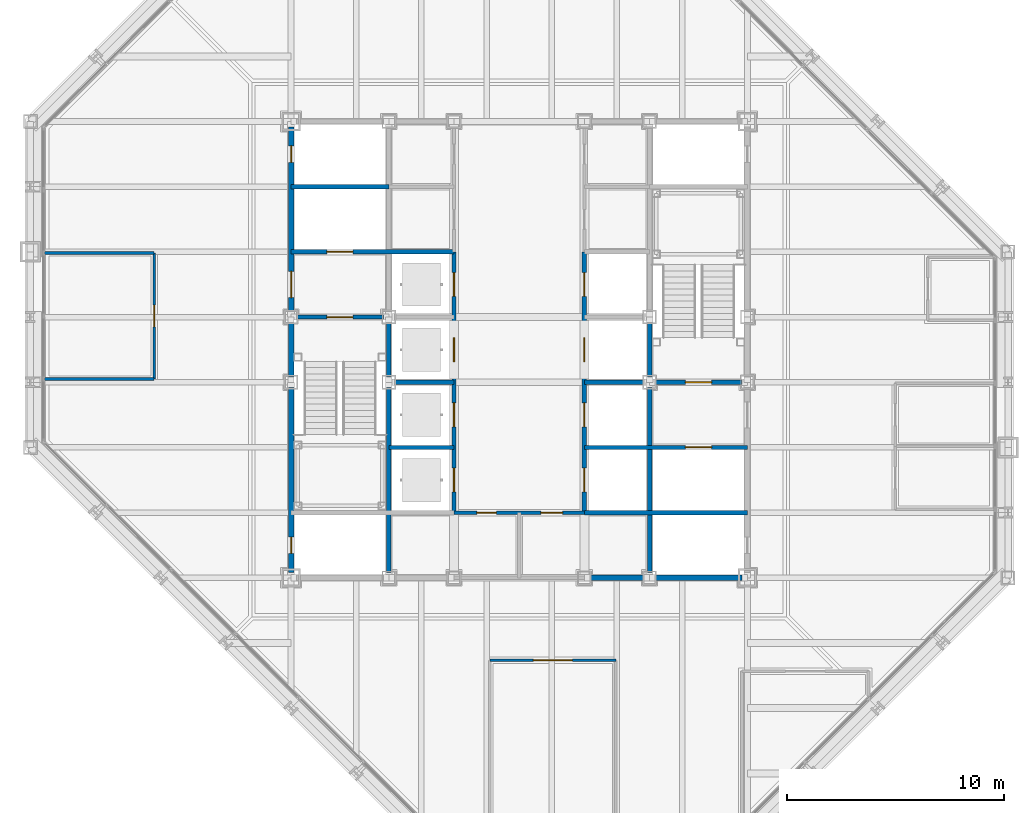
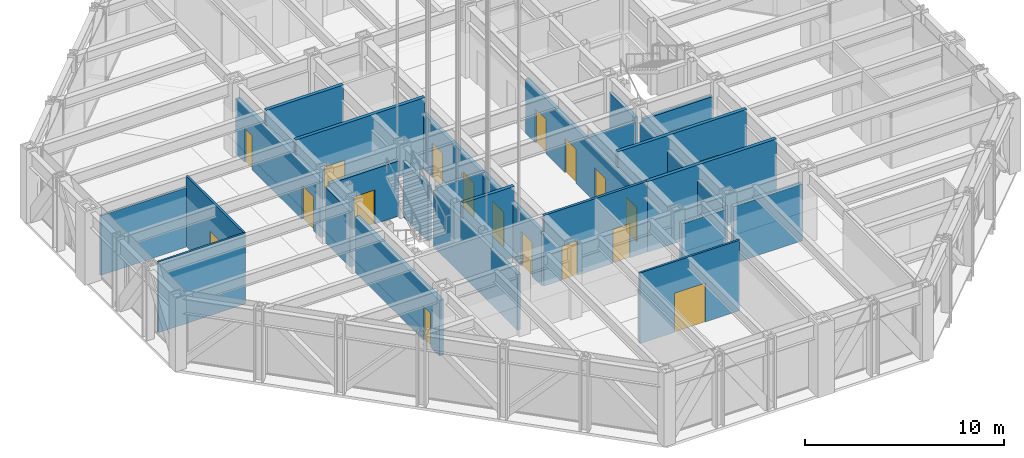
# One storey, part 10 of 24: 25 walls, 19 doors, 19 openings.
"""IFC4 building model written with IfcOpenShell, lengths in metres."""

import ifcopenshell
import ifcopenshell.guid

model = None  # the IFC model being written
_history = None  # IfcOwnerHistory: only IFC2X3 demands one
_inside = {}  # id of a spatial element -> (the spatial element, [elements in it])
_under = {}  # id of a project, library or spatial element -> (it, [spatial elements below it])
_declared = {}  # id of a project -> (the project, [libraries it declares])
_typed = {}  # id of a type object -> (the type object, [elements of that type])
_made_of = {}  # id of a material, layer set ... -> (it, [elements and type objects made of it])


def new_model(schema):
    """Start an empty IFC model of exactly this schema.

    Asked for "IFC4X3", IfcOpenShell would pick the latest addendum, in which some entities
    have other attributes; the version numbers below select the first issue.
    IFC2X3 requires an IfcOwnerHistory on every rooted entity: one is made here for all.
    """
    global model, _history
    if schema == "IFC4X3":
        model = ifcopenshell.file(schema_version=(4, 3, 0, 0))
    else:
        model = ifcopenshell.file(schema=schema)
    _inside.clear()
    _under.clear()
    _declared.clear()
    _typed.clear()
    _made_of.clear()
    _history = None
    if model.schema == "IFC2X3":
        org = make("IfcOrganization", Name="unknown")
        user = make(
            "IfcPersonAndOrganization",
            ThePerson=make("IfcPerson", FamilyName="unknown"),
            TheOrganization=org,
        )
        app = make(
            "IfcApplication",
            ApplicationDeveloper=org,
            Version="unknown",
            ApplicationFullName="unknown",
            ApplicationIdentifier="unknown",
        )
        _history = make(
            "IfcOwnerHistory",
            OwningUser=user,
            OwningApplication=app,
            ChangeAction="ADDED",
            CreationDate=0,
        )
    return model


def make(cls, **values):
    """One entity of the class cls with the attributes given. An attribute that is None is left unset."""
    return model.create_entity(
        cls, **{name: value for name, value in values.items() if value is not None}
    )


def rooted(cls, **values):
    """An entity with a GlobalId (a new one), such as an element, a storey or a relation."""
    return make(cls, GlobalId=ifcopenshell.guid.new(), OwnerHistory=_history, **values)


def si_unit(unit_type, name, prefix=None):
    """IfcSIUnit, for example si_unit("LENGTHUNIT", "METRE", prefix="MILLI")."""
    return make("IfcSIUnit", UnitType=unit_type, Prefix=prefix, Name=name)


def assignment(units):
    """IfcUnitAssignment: the units of a project."""
    return None if units is None else make("IfcUnitAssignment", Units=units)


def point(xyz):
    """IfcCartesianPoint."""
    return None if xyz is None else make("IfcCartesianPoint", Coordinates=xyz)


def direction(xyz):
    """IfcDirection."""
    return None if xyz is None else make("IfcDirection", DirectionRatios=xyz)


def frame(location, z_axis=None, x_axis=None):
    """IfcAxis2Placement3D, a coordinate frame: its origin and axes. An axis left out is left unset."""
    return make(
        "IfcAxis2Placement3D",
        Location=point(location),
        Axis=direction(z_axis),
        RefDirection=direction(x_axis),
    )


def frame_2d(location, x_axis=None):
    """IfcAxis2Placement2D, a coordinate frame in the plane: its origin and x axis."""
    return make(
        "IfcAxis2Placement2D", Location=point(location), RefDirection=direction(x_axis)
    )


def origin():
    """The frame at (0, 0, 0) with its axes left unset."""
    return frame((0.0, 0.0, 0.0))


def place(relative_to, where):
    """IfcLocalPlacement: puts the frame where relative to a parent placement (None: the world)."""
    return make(
        "IfcLocalPlacement", PlacementRelTo=relative_to, RelativePlacement=where
    )


def context(
    kind, dimensions, precision=None, world=None, true_north=None, identifier=None
):
    """IfcGeometricRepresentationContext, for example the 3D "Model" context."""
    return make(
        "IfcGeometricRepresentationContext",
        ContextIdentifier=identifier,
        ContextType=kind,
        CoordinateSpaceDimension=dimensions,
        Precision=precision,
        WorldCoordinateSystem=world,
        TrueNorth=true_north,
    )


def subcontext(parent, identifier, kind, view, scale=None):
    """IfcGeometricRepresentationSubContext, for example "Body" below "Model"."""
    return make(
        "IfcGeometricRepresentationSubContext",
        ContextIdentifier=identifier,
        ContextType=kind,
        ParentContext=parent,
        TargetScale=scale,
        TargetView=view,
    )


def project(units=None, contexts=None):
    """IfcProject with its units and contexts."""
    return rooted(
        "IfcProject",
        Name="project",
        RepresentationContexts=contexts,
        UnitsInContext=assignment(units),
    )


def spatial(cls, under=None, at=None, **own):
    """A site, building, storey or space (cls), placed at a placement, below another one or the project."""
    s = rooted(cls, ObjectPlacement=at, **own)
    if under is not None:
        _under.setdefault(under.id(), (under, []))[1].append(s)
    return s


def profile(cls, at=None, kind="AREA", **sizes):
    """A parametric profile (cls). Its sizes go by their IFC names, for example OverallWidth=200.0."""
    return make(cls, ProfileType=kind, Position=at, **sizes)


def rectangle(**sizes):
    """IfcRectangleProfileDef."""
    return profile("IfcRectangleProfileDef", **sizes)


def extrude(swept, where, along, depth):
    """IfcExtrudedAreaSolid: the profile swept, set in the frame where, extruded along a direction by depth."""
    return make(
        "IfcExtrudedAreaSolid",
        SweptArea=swept,
        Position=where,
        ExtrudedDirection=direction(along),
        Depth=depth,
    )


def shape(context_of_items, identifier, shape_type, items):
    """IfcShapeRepresentation: the items that make up one representation, for example the "Body"."""
    return make(
        "IfcShapeRepresentation",
        ContextOfItems=context_of_items,
        RepresentationIdentifier=identifier,
        RepresentationType=shape_type,
        Items=items,
    )


def material(Name=None, Category=None):
    """IfcMaterial."""
    return make("IfcMaterial", Name=Name, Category=Category)


def layer(
    of_material, thickness, ventilated=None, Name=None, Category=None, Priority=None
):
    """IfcMaterialLayer: one layer of a wall or slab, of a material (None: an air gap)."""
    return make(
        "IfcMaterialLayer",
        Material=of_material,
        LayerThickness=thickness,
        IsVentilated=ventilated,
        Name=Name,
        Category=Category,
        Priority=Priority,
    )


def layer_set(layers, Name=None):
    """IfcMaterialLayerSet."""
    return make("IfcMaterialLayerSet", MaterialLayers=layers, LayerSetName=Name)


def made_of(thing, what):
    """Note that an element or type object is made of a material, layer set ...; save() writes the relation."""
    if what is not None:
        _made_of.setdefault(what.id(), (what, []))[1].append(thing)
    return thing


def type_object(cls, material=None, **own):
    """A type object (cls), such as IfcWallType, which elements share."""
    return made_of(rooted(cls, **own), material)


def element(
    cls,
    number,
    at=None,
    inside=None,
    cuts=None,
    type_object=None,
    material=None,
    context=None,
    identifier="Body",
    shape_type=None,
    held_by="IfcProductDefinitionShape",
    body=None,
    shapes=None,
    **own,
):
    """One element of the class cls, such as IfcWall. Its Tag is "e" and its number.

    at: its placement. inside: the storey or other place that contains it. cuts: it is an
    opening in that element (IfcRelVoidsElement). A single representation is given by context,
    identifier, shape_type and body (its items); several are given by shapes. held_by: the class
    of the entity that holds the representations. save() writes the other relations.
    """
    e = rooted(cls, Tag="e%d" % number, ObjectPlacement=at, **own)
    if body is not None:
        shapes = [shape(context, identifier, shape_type, body)]
    if shapes is not None:
        e.Representation = make(held_by, Representations=shapes)
    if inside is not None:
        _inside.setdefault(inside.id(), (inside, []))[1].append(e)
    if cuts is not None:
        rooted(
            "IfcRelVoidsElement", RelatingBuildingElement=cuts, RelatedOpeningElement=e
        )
    if type_object is not None:
        _typed.setdefault(type_object.id(), (type_object, []))[1].append(e)
    return made_of(e, material)


def fill(opening, filler):
    """IfcRelFillsElement: the door or window that sits in an opening."""
    return rooted(
        "IfcRelFillsElement",
        RelatingOpeningElement=opening,
        RelatedBuildingElement=filler,
    )


def aggregate(whole, parts):
    """IfcRelAggregates: a whole, such as a stair, and the parts it consists of."""
    return rooted("IfcRelAggregates", RelatingObject=whole, RelatedObjects=parts)


def save(model, path):
    """Write the relations noted so far, then the file.

    IfcRelAggregates (storeys below a building ...), IfcRelContainedInSpatialStructure (elements
    in a storey), IfcRelDefinesByType, IfcRelAssociatesMaterial and IfcRelDeclares: one each for
    every whole, place, type object, material and project.
    """
    for whole, parts in _under.values():
        aggregate(whole, parts)
    for where, things in _inside.values():
        rooted(
            "IfcRelContainedInSpatialStructure",
            RelatedElements=things,
            RelatingStructure=where,
        )
    for kind, things in _typed.values():
        rooted("IfcRelDefinesByType", RelatedObjects=things, RelatingType=kind)
    for what, things in _made_of.values():
        rooted("IfcRelAssociatesMaterial", RelatedObjects=things, RelatingMaterial=what)
    for by, libraries in _declared.values():
        rooted("IfcRelDeclares", RelatingContext=by, RelatedDefinitions=libraries)
    model.write(path)


model = new_model("IFC4")

# Units and contexts
model_context = context("Model", 3, precision=1e-05, world=origin(), true_north=direction((0.0, 1.0)))
body_context = subcontext(model_context, "Body", "Model", "MODEL_VIEW")
ifc_project = project(units=[si_unit("LENGTHUNIT", "METRE"), si_unit("AREAUNIT", "SQUARE_METRE"), si_unit("VOLUMEUNIT", "CUBIC_METRE"), si_unit("PLANEANGLEUNIT", "RADIAN"), si_unit("MASSUNIT", "GRAM", prefix="KILO")], contexts=[model_context])

# Site, building, storey
site_placement = place(None, origin())
site = spatial("IfcSite", under=ifc_project, at=site_placement, CompositionType="ELEMENT")
building_placement = place(site_placement, origin())
building = spatial("IfcBuilding", under=site, at=building_placement, Name="Chuquiago Exchange Tower", CompositionType="ELEMENT")
storey_placement = place(building_placement, frame((0.0, 0.0, 180.0)))
storey = spatial("IfcBuildingStorey", under=building, at=storey_placement, Name="L39", CompositionType="ELEMENT", Elevation=180.0)

# Wall, opening, door
ifc_material_1 = material(Name="Concrete masonry, fully grouted", Category="masonry")
ifc_layer_1 = layer(ifc_material_1, 0.25)
ifc_layer_set_1 = layer_set([ifc_layer_1], Name="W1 core wall 250")
wall_type_1 = type_object("IfcWallType", Name="W1 core wall 250", PredefinedType="SOLIDWALL", material=ifc_layer_set_1)
wall_1_placement = place(storey_placement, frame((12.0, 12.25, 0.0), z_axis=(0.0, 0.0, 1.0), x_axis=(0.0, 1.0, 0.0)))
wall_1 = element("IfcWall", 1, at=wall_1_placement, inside=storey, type_object=wall_type_1, Name="CW-L39-00-0", PredefinedType="SOLIDWALL", context=body_context, shape_type="SweptSolid", body=[
    extrude(rectangle(XDim=8.5, YDim=0.25, at=frame_2d((4.25, 0.0))), origin(), (0.0, 0.0, 1.0), 3.412841796875),
])
opening_1_placement = place(wall_1_placement, frame((0.875, 0.0, 0.0)))
opening_1 = element("IfcOpeningElement", 2, at=opening_1_placement, cuts=wall_1, Name="Opening L39-007", PredefinedType="OPENING", context=body_context, shape_type="SweptSolid", body=[
    extrude(rectangle(XDim=0.75, YDim=2.10009765625, at=frame_2d((0.375, 1.050048828125))), frame((0.0, 0.135009765625, 0.0), z_axis=(0.0, -1.0, 0.0), x_axis=(1.0, 0.0, 0.0)), (0.0, 0.0, 1.0), 0.27001953125),
])
ifc_material_2 = material(Name="Steel door, painted", Category="steel")
door_type_1 = type_object("IfcDoorType", Name="D6 riser access door 750x2100", OperationType="SINGLE_SWING_LEFT", PredefinedType="DOOR", material=ifc_material_2)
door_1_placement = place(opening_1_placement, frame((0.75, 0.0, 0.0), z_axis=(0.0, 0.0, 1.0), x_axis=(-1.0, 0.0, 0.0)))
door_1 = element("IfcDoor", 3, at=door_1_placement, inside=storey, type_object=door_type_1, Name="Riser RW1 door", OperationType="SINGLE_SWING_RIGHT", OverallHeight=2.10009765625, OverallWidth=0.75, PredefinedType="DOOR", context=body_context, shape_type="SweptSolid", body=[
    extrude(rectangle(XDim=0.75, YDim=2.10009765625, at=frame_2d((0.375, 1.050048828125))), frame((0.0, 0.02490234375, 0.0), z_axis=(0.0, -1.0, 0.0), x_axis=(1.0, 0.0, 0.0)), (0.0, 0.0, 1.0), 0.050048828125),
])
fill(opening_1, door_1)

# Wall
wall_2_placement = place(storey_placement, frame((12.0, 21.25, 0.0), z_axis=(0.0, 0.0, 1.0), x_axis=(0.0, 1.0, 0.0)))
element("IfcWall", 4, at=wall_2_placement, inside=storey, type_object=wall_type_1, Name="CW-L39-00-1", PredefinedType="SOLIDWALL", context=body_context, shape_type="SweptSolid", body=[
    extrude(rectangle(XDim=2.5, YDim=0.25, at=frame_2d((1.25, 0.0))), origin(), (0.0, 0.0, 1.0), 3.412841796875),
])

# Wall, openings, doors
wall_3_placement = place(storey_placement, frame((12.0, 24.25, 0.0), z_axis=(0.0, 0.0, 1.0), x_axis=(0.0, 1.0, 0.0)))
wall_3 = element("IfcWall", 5, at=wall_3_placement, inside=storey, type_object=wall_type_1, Name="CW-L39-00-2", PredefinedType="SOLIDWALL", context=body_context, shape_type="SweptSolid", body=[
    extrude(rectangle(XDim=8.5, YDim=0.25, at=frame_2d((4.25, 0.0))), origin(), (0.0, 0.0, 1.0), 3.412841796875),
])
opening_2_placement = place(wall_3_placement, frame((0.64990234375, 0.0, 0.0)))
opening_2 = element("IfcOpeningElement", 6, at=opening_2_placement, cuts=wall_3, Name="Opening L39-002", PredefinedType="OPENING", context=body_context, shape_type="SweptSolid", body=[
    extrude(rectangle(XDim=1.199951171875, YDim=2.10009765625, at=frame_2d((0.60009765625, 1.050048828125))), frame((0.0, 0.135009765625, 0.0), z_axis=(0.0, -1.0, 0.0), x_axis=(1.0, 0.0, 0.0)), (0.0, 0.0, 1.0), 0.27001953125),
])
opening_3_placement = place(wall_3_placement, frame((6.875, 0.0, 0.0)))
opening_3 = element("IfcOpeningElement", 7, at=opening_3_placement, cuts=wall_3, Name="Opening L39-008", PredefinedType="OPENING", context=body_context, shape_type="SweptSolid", body=[
    extrude(rectangle(XDim=0.75, YDim=2.10009765625, at=frame_2d((0.375, 1.050048828125))), frame((0.0, 0.135009765625, 0.0), z_axis=(0.0, -1.0, 0.0), x_axis=(1.0, 0.0, 0.0)), (0.0, 0.0, 1.0), 0.27001953125),
])
ifc_material_3 = material(Name="Steel door, painted", Category="steel")
door_type_2 = type_object("IfcDoorType", Name="D5 firefighting lobby door 1200x2100", OperationType="SINGLE_SWING_LEFT", PredefinedType="DOOR", material=ifc_material_3)
door_2_placement = place(opening_2_placement, frame((1.199951171875, 0.0, 0.0), z_axis=(0.0, 0.0, 1.0), x_axis=(-1.0, 0.0, 0.0)))
door_2 = element("IfcDoor", 8, at=door_2_placement, inside=storey, type_object=door_type_2, Name="Firefighting lobby 1 door", OperationType="SINGLE_SWING_RIGHT", OverallHeight=2.10009765625, OverallWidth=1.199951171875, PredefinedType="DOOR", context=body_context, shape_type="SweptSolid", body=[
    extrude(rectangle(XDim=1.199951171875, YDim=2.10009765625, at=frame_2d((0.60009765625, 1.050048828125))), frame((0.0, 0.02490234375, 0.0), z_axis=(0.0, -1.0, 0.0), x_axis=(1.0, 0.0, 0.0)), (0.0, 0.0, 1.0), 0.050048828125),
])
fill(opening_2, door_2)
door_3_placement = place(opening_3_placement, frame((0.75, 0.0, 0.0), z_axis=(0.0, 0.0, 1.0), x_axis=(-1.0, 0.0, 0.0)))
door_3 = element("IfcDoor", 9, at=door_3_placement, inside=storey, type_object=door_type_1, Name="Riser RW2 door", OperationType="SINGLE_SWING_LEFT", OverallHeight=2.10009765625, OverallWidth=0.75, PredefinedType="DOOR", context=body_context, shape_type="SweptSolid", body=[
    extrude(rectangle(XDim=0.75, YDim=2.10009765625, at=frame_2d((0.375, 1.050048828125))), frame((0.0, 0.02490234375, 0.0), z_axis=(0.0, -1.0, 0.0), x_axis=(1.0, 0.0, 0.0)), (0.0, 0.0, 1.0), 0.050048828125),
])
fill(opening_3, door_3)

# Walls
wall_4_placement = place(storey_placement, frame((25.75, 12.0, 0.0), z_axis=(0.0, 0.0, 1.0), x_axis=(1.0, 0.0, 0.0)))
element("IfcWall", 10, at=wall_4_placement, inside=storey, type_object=wall_type_1, Name="CW-L39-02-0", PredefinedType="SOLIDWALL", context=body_context, shape_type="SweptSolid", body=[
    extrude(rectangle(XDim=2.5, YDim=0.25, at=frame_2d((1.25, 0.0))), origin(), (0.0, 0.0, 1.0), 3.4814453125),
])
wall_5_placement = place(storey_placement, frame((28.75, 12.0, 0.0), z_axis=(0.0, 0.0, 1.0), x_axis=(1.0, 0.0, 0.0)))
element("IfcWall", 11, at=wall_5_placement, inside=storey, type_object=wall_type_1, Name="CW-L39-02-1", PredefinedType="SOLIDWALL", context=body_context, shape_type="SweptSolid", body=[
    extrude(rectangle(XDim=4.0, YDim=0.25, at=frame_2d((2.0, 0.0))), origin(), (0.0, 0.0, 1.0), 3.4814453125),
])
ifc_material_4 = material(Name="Concrete masonry, fully grouted", Category="masonry")
ifc_layer_2 = layer(ifc_material_4, 0.199951171875)
ifc_layer_set_2 = layer_set([ifc_layer_2], Name="W2 shaft wall 200")
wall_type_2 = type_object("IfcWallType", Name="W2 shaft wall 200", PredefinedType="SOLIDWALL", material=ifc_layer_set_2)
wall_6_placement = place(storey_placement, frame((25.5, 15.0, 0.0), z_axis=(0.0, 0.0, 1.0), x_axis=(1.0, 0.0, 0.0)))
element("IfcWall", 12, at=wall_6_placement, inside=storey, type_object=wall_type_2, Name="CW-L39-04-0", PredefinedType="SOLIDWALL", context=body_context, shape_type="SweptSolid", body=[
    extrude(rectangle(XDim=7.5, YDim=0.199951171875, at=frame_2d((3.75, 0.0))), origin(), (0.0, 0.0, 1.0), 4.340087890625),
])

# Wall, opening, door
wall_7_placement = place(storey_placement, frame((12.25, 24.0, 0.0), z_axis=(0.0, 0.0, 1.0), x_axis=(1.0, 0.0, 0.0)))
wall_7 = element("IfcWall", 13, at=wall_7_placement, inside=storey, type_object=wall_type_2, Name="CW-L39-05-0", PredefinedType="SOLIDWALL", context=body_context, shape_type="SweptSolid", body=[
    extrude(rectangle(XDim=4.0, YDim=0.199951171875, at=frame_2d((2.0, 0.0))), origin(), (0.0, 0.0, 1.0), 3.389892578125),
])
opening_4_placement = place(wall_7_placement, frame((1.39990234375, 0.0, 0.0)))
opening_4 = element("IfcOpeningElement", 14, at=opening_4_placement, cuts=wall_7, Name="Opening L39-001", PredefinedType="OPENING", context=body_context, shape_type="SweptSolid", body=[
    extrude(rectangle(XDim=1.199951171875, YDim=2.10009765625, at=frame_2d((0.60009765625, 1.050048828125))), frame((0.0, 0.10986328125, 0.0), z_axis=(0.0, -1.0, 0.0), x_axis=(1.0, 0.0, 0.0)), (0.0, 0.0, 1.0), 0.219970703125),
])
ifc_material_5 = material(Name="Steel door, painted", Category="steel")
door_type_3 = type_object("IfcDoorType", Name="D4 stair door 1200x2100", OperationType="SINGLE_SWING_LEFT", PredefinedType="DOOR", material=ifc_material_5)
door_4_placement = place(opening_4_placement, frame((1.199951171875, 0.0, 0.0), z_axis=(0.0, 0.0, 1.0), x_axis=(-1.0, 0.0, 0.0)))
door_4 = element("IfcDoor", 15, at=door_4_placement, inside=storey, type_object=door_type_3, Name="Stair ST1 door", OperationType="SINGLE_SWING_RIGHT", OverallHeight=2.10009765625, OverallWidth=1.199951171875, PredefinedType="DOOR", context=body_context, shape_type="SweptSolid", body=[
    extrude(rectangle(XDim=1.199951171875, YDim=2.10009765625, at=frame_2d((0.60009765625, 1.050048828125))), frame((0.0, 0.02490234375, 0.0), z_axis=(0.0, -1.0, 0.0), x_axis=(1.0, 0.0, 0.0)), (0.0, 0.0, 1.0), 0.050048828125),
])
fill(opening_4, door_4)

wall_8_placement = place(storey_placement, frame((12.0, 27.0, 0.0), z_axis=(0.0, 0.0, 1.0), x_axis=(1.0, 0.0, 0.0)))
wall_8 = element("IfcWall", 16, at=wall_8_placement, inside=storey, type_object=wall_type_2, Name="CW-L39-07-0", PredefinedType="SOLIDWALL", context=body_context, shape_type="SweptSolid", body=[
    extrude(rectangle(XDim=7.5, YDim=0.199951171875, at=frame_2d((3.75, 0.0))), origin(), (0.0, 0.0, 1.0), 4.340087890625),
])
opening_5_placement = place(wall_8_placement, frame((1.64990234375, 0.0, 0.0)))
opening_5 = element("IfcOpeningElement", 17, at=opening_5_placement, cuts=wall_8, Name="Opening L39-005", PredefinedType="OPENING", context=body_context, shape_type="SweptSolid", body=[
    extrude(rectangle(XDim=1.199951171875, YDim=2.10009765625, at=frame_2d((0.60009765625, 1.050048828125))), frame((0.0, 0.10986328125, 0.0), z_axis=(0.0, -1.0, 0.0), x_axis=(1.0, 0.0, 0.0)), (0.0, 0.0, 1.0), 0.219970703125),
])
ifc_material_6 = material(Name="Stainless steel lift landing door", Category="steel")
door_type_4 = type_object("IfcDoorType", Name="LD2 firefighting lift landing door 1200x2100", OperationType="DOUBLE_DOOR_SLIDING", PredefinedType="DOOR", material=ifc_material_6)
door_5_placement = place(opening_5_placement, origin())
door_5 = element("IfcDoor", 18, at=door_5_placement, inside=storey, type_object=door_type_4, Name="Firefighting lift FL1 landing door", OperationType="DOUBLE_DOOR_SLIDING", OverallHeight=2.10009765625, OverallWidth=1.199951171875, PredefinedType="DOOR", context=body_context, shape_type="SweptSolid", body=[
    extrude(rectangle(XDim=1.199951171875, YDim=2.10009765625, at=frame_2d((0.60009765625, 1.050048828125))), frame((0.0, 0.02490234375, 0.0), z_axis=(0.0, -1.0, 0.0), x_axis=(1.0, 0.0, 0.0)), (0.0, 0.0, 1.0), 0.050048828125),
])
fill(opening_5, door_5)

# Walls
wall_9_placement = place(storey_placement, frame((12.0, 30.0, 0.0), z_axis=(0.0, 0.0, 1.0), x_axis=(1.0, 0.0, 0.0)))
element("IfcWall", 19, at=wall_9_placement, inside=storey, type_object=wall_type_2, Name="CW-L39-09-0", PredefinedType="SOLIDWALL", context=body_context, shape_type="SweptSolid", body=[
    extrude(rectangle(XDim=4.5, YDim=0.199951171875, at=frame_2d((2.25, 0.0))), origin(), (0.0, 0.0, 1.0), 4.340087890625),
])
wall_10_placement = place(storey_placement, frame((16.5, 12.25, 0.0), z_axis=(0.0, 0.0, 1.0), x_axis=(0.0, 1.0, 0.0)))
element("IfcWall", 20, at=wall_10_placement, inside=storey, type_object=wall_type_2, Name="CW-L39-13-0", PredefinedType="SOLIDWALL", context=body_context, shape_type="SweptSolid", body=[
    extrude(rectangle(XDim=8.5, YDim=0.199951171875, at=frame_2d((4.25, 0.0))), origin(), (0.0, 0.0, 1.0), 3.412841796875),
])
wall_11_placement = place(storey_placement, frame((16.5, 21.25, 0.0), z_axis=(0.0, 0.0, 1.0), x_axis=(0.0, 1.0, 0.0)))
element("IfcWall", 21, at=wall_11_placement, inside=storey, type_object=wall_type_2, Name="CW-L39-13-1", PredefinedType="SOLIDWALL", context=body_context, shape_type="SweptSolid", body=[
    extrude(rectangle(XDim=2.5, YDim=0.199951171875, at=frame_2d((1.25, 0.0))), origin(), (0.0, 0.0, 1.0), 3.412841796875),
])
wall_12_placement = place(storey_placement, frame((16.5, 18.0, 0.0), z_axis=(0.0, 0.0, 1.0), x_axis=(1.0, 0.0, 0.0)))
element("IfcWall", 22, at=wall_12_placement, inside=storey, type_object=wall_type_2, Name="CW-L39-14-0", PredefinedType="SOLIDWALL", context=body_context, shape_type="SweptSolid", body=[
    extrude(rectangle(XDim=3.0, YDim=0.199951171875, at=frame_2d((1.5, 0.0))), origin(), (0.0, 0.0, 1.0), 4.340087890625),
])

# Wall, opening, door
wall_13_placement = place(storey_placement, frame((25.5, 18.0, 0.0), z_axis=(0.0, 0.0, 1.0), x_axis=(1.0, 0.0, 0.0)))
wall_13 = element("IfcWall", 23, at=wall_13_placement, inside=storey, type_object=wall_type_2, Name="CW-L39-15-0", PredefinedType="SOLIDWALL", context=body_context, shape_type="SweptSolid", body=[
    extrude(rectangle(XDim=7.5, YDim=0.199951171875, at=frame_2d((3.75, 0.0))), origin(), (0.0, 0.0, 1.0), 4.340087890625),
])
opening_6_placement = place(wall_13_placement, frame((4.64990234375, 0.0, 0.0)))
opening_6 = element("IfcOpeningElement", 24, at=opening_6_placement, cuts=wall_13, Name="Opening L39-006", PredefinedType="OPENING", context=body_context, shape_type="SweptSolid", body=[
    extrude(rectangle(XDim=1.199951171875, YDim=2.10009765625, at=frame_2d((0.60009765625, 1.050048828125))), frame((0.0, 0.10986328125, 0.0), z_axis=(0.0, -1.0, 0.0), x_axis=(1.0, 0.0, 0.0)), (0.0, 0.0, 1.0), 0.219970703125),
])
door_6_placement = place(opening_6_placement, origin())
door_6 = element("IfcDoor", 25, at=door_6_placement, inside=storey, type_object=door_type_4, Name="Firefighting lift FL2 landing door", OperationType="DOUBLE_DOOR_SLIDING", OverallHeight=2.10009765625, OverallWidth=1.199951171875, PredefinedType="DOOR", context=body_context, shape_type="SweptSolid", body=[
    extrude(rectangle(XDim=1.199951171875, YDim=2.10009765625, at=frame_2d((0.60009765625, 1.050048828125))), frame((0.0, 0.02490234375, 0.0), z_axis=(0.0, -1.0, 0.0), x_axis=(1.0, 0.0, 0.0)), (0.0, 0.0, 1.0), 0.050048828125),
])
fill(opening_6, door_6)

# Walls
for number, where, z_axis, x_axis, name in (
    (26, (16.75, 21.0, 0.0), (0.0, 0.0, 1.0), (1.0, 0.0, 0.0), "CW-L39-16-0"),
    (27, (25.5, 21.0, 0.0), (0.0, 0.0, 1.0), (1.0, 0.0, 0.0), "CW-L39-17-0"),
):
    element("IfcWall", number, at=place(storey_placement, frame(where, z_axis=z_axis, x_axis=x_axis)), inside=storey, type_object=wall_type_2, Name=name, PredefinedType="SOLIDWALL", context=body_context, shape_type="SweptSolid", body=[
        extrude(rectangle(XDim=2.75, YDim=0.199951171875, at=frame_2d((1.375, 0.0))), origin(), (0.0, 0.0, 1.0), 3.389892578125),
    ])

# Wall, opening, door
wall_14_placement = place(storey_placement, frame((28.75, 21.0, 0.0), z_axis=(0.0, 0.0, 1.0), x_axis=(1.0, 0.0, 0.0)))
wall_14 = element("IfcWall", 28, at=wall_14_placement, inside=storey, type_object=wall_type_2, Name="CW-L39-17-1", PredefinedType="SOLIDWALL", context=body_context, shape_type="SweptSolid", body=[
    extrude(rectangle(XDim=4.0, YDim=0.199951171875, at=frame_2d((2.0, 0.0))), origin(), (0.0, 0.0, 1.0), 3.389892578125),
])
opening_7_placement = place(wall_14_placement, frame((1.39990234375, 0.0, 0.0)))
opening_7 = element("IfcOpeningElement", 29, at=opening_7_placement, cuts=wall_14, Name="Opening L39-003", PredefinedType="OPENING", context=body_context, shape_type="SweptSolid", body=[
    extrude(rectangle(XDim=1.199951171875, YDim=2.10009765625, at=frame_2d((0.60009765625, 1.050048828125))), frame((0.0, 0.10986328125, 0.0), z_axis=(0.0, -1.0, 0.0), x_axis=(1.0, 0.0, 0.0)), (0.0, 0.0, 1.0), 0.219970703125),
])
door_7_placement = place(opening_7_placement, origin())
door_7 = element("IfcDoor", 30, at=door_7_placement, inside=storey, type_object=door_type_3, Name="Stair ST2 door", OperationType="SINGLE_SWING_LEFT", OverallHeight=2.10009765625, OverallWidth=1.199951171875, PredefinedType="DOOR", context=body_context, shape_type="SweptSolid", body=[
    extrude(rectangle(XDim=1.199951171875, YDim=2.10009765625, at=frame_2d((0.60009765625, 1.050048828125))), frame((0.0, 0.02490234375, 0.0), z_axis=(0.0, -1.0, 0.0), x_axis=(1.0, 0.0, 0.0)), (0.0, 0.0, 1.0), 0.050048828125),
])
fill(opening_7, door_7)

# Wall, openings, doors
wall_15_placement = place(storey_placement, frame((19.5, 15.0, 0.0), z_axis=(0.0, 0.0, 1.0), x_axis=(0.0, 1.0, 0.0)))
wall_15 = element("IfcWall", 31, at=wall_15_placement, inside=storey, type_object=wall_type_2, Name="CW-L39-19-0", PredefinedType="SOLIDWALL", context=body_context, shape_type="SweptSolid", body=[
    extrude(rectangle(XDim=12.0, YDim=0.199951171875, at=frame_2d((6.0, 0.0))), origin(), (0.0, 0.0, 1.0), 3.364501953125),
])
opening_8_placement = place(wall_15_placement, frame((0.949951171875, 0.0, 0.0)))
opening_8 = element("IfcOpeningElement", 32, at=opening_8_placement, cuts=wall_15, Name="Opening L39-017", PredefinedType="OPENING", context=body_context, shape_type="SweptSolid", body=[
    extrude(rectangle(XDim=1.10009765625, YDim=2.10009765625, at=frame_2d((0.550048828125, 1.050048828125))), frame((0.0, 0.10986328125, 0.0), z_axis=(0.0, -1.0, 0.0), x_axis=(1.0, 0.0, 0.0)), (0.0, 0.0, 1.0), 0.219970703125),
])
opening_9_placement = place(wall_15_placement, frame((3.949951171875, 0.0, 0.0)))
opening_9 = element("IfcOpeningElement", 33, at=opening_9_placement, cuts=wall_15, Name="Opening L39-019", PredefinedType="OPENING", context=body_context, shape_type="SweptSolid", body=[
    extrude(rectangle(XDim=1.10009765625, YDim=2.10009765625, at=frame_2d((0.550048828125, 1.050048828125))), frame((0.0, 0.10986328125, 0.0), z_axis=(0.0, -1.0, 0.0), x_axis=(1.0, 0.0, 0.0)), (0.0, 0.0, 1.0), 0.219970703125),
])
opening_10_placement = place(wall_15_placement, frame((6.949951171875, 0.0, 0.0)))
opening_10 = element("IfcOpeningElement", 34, at=opening_10_placement, cuts=wall_15, Name="Opening L39-021", PredefinedType="OPENING", context=body_context, shape_type="SweptSolid", body=[
    extrude(rectangle(XDim=1.10009765625, YDim=2.10009765625, at=frame_2d((0.550048828125, 1.050048828125))), frame((0.0, 0.10986328125, 0.0), z_axis=(0.0, -1.0, 0.0), x_axis=(1.0, 0.0, 0.0)), (0.0, 0.0, 1.0), 0.219970703125),
])
opening_11_placement = place(wall_15_placement, frame((9.949951171875, 0.0, 0.0)))
opening_11 = element("IfcOpeningElement", 35, at=opening_11_placement, cuts=wall_15, Name="Opening L39-023", PredefinedType="OPENING", context=body_context, shape_type="SweptSolid", body=[
    extrude(rectangle(XDim=1.10009765625, YDim=2.10009765625, at=frame_2d((0.550048828125, 1.050048828125))), frame((0.0, 0.10986328125, 0.0), z_axis=(0.0, -1.0, 0.0), x_axis=(1.0, 0.0, 0.0)), (0.0, 0.0, 1.0), 0.219970703125),
])
ifc_material_7 = material(Name="Stainless steel lift landing door", Category="steel")
door_type_5 = type_object("IfcDoorType", Name="LD1 lift landing door 1100x2100", OperationType="DOUBLE_DOOR_SLIDING", PredefinedType="DOOR", material=ifc_material_7)
door_8_placement = place(opening_8_placement, origin())
door_8 = element("IfcDoor", 36, at=door_8_placement, inside=storey, type_object=door_type_5, Name="Lift LC1 landing door", OperationType="DOUBLE_DOOR_SLIDING", OverallHeight=2.10009765625, OverallWidth=1.10009765625, PredefinedType="DOOR", context=body_context, shape_type="SweptSolid", body=[
    extrude(rectangle(XDim=1.10009765625, YDim=2.10009765625, at=frame_2d((0.550048828125, 1.050048828125))), frame((0.0, 0.02490234375, 0.0), z_axis=(0.0, -1.0, 0.0), x_axis=(1.0, 0.0, 0.0)), (0.0, 0.0, 1.0), 0.050048828125),
])
fill(opening_8, door_8)
door_9_placement = place(opening_9_placement, origin())
door_9 = element("IfcDoor", 37, at=door_9_placement, inside=storey, type_object=door_type_5, Name="Lift LC2 landing door", OperationType="DOUBLE_DOOR_SLIDING", OverallHeight=2.10009765625, OverallWidth=1.10009765625, PredefinedType="DOOR", context=body_context, shape_type="SweptSolid", body=[
    extrude(rectangle(XDim=1.10009765625, YDim=2.10009765625, at=frame_2d((0.550048828125, 1.050048828125))), frame((0.0, 0.02490234375, 0.0), z_axis=(0.0, -1.0, 0.0), x_axis=(1.0, 0.0, 0.0)), (0.0, 0.0, 1.0), 0.050048828125),
])
fill(opening_9, door_9)
door_10_placement = place(opening_10_placement, origin())
door_10 = element("IfcDoor", 38, at=door_10_placement, inside=storey, type_object=door_type_5, Name="Lift LC3 landing door", OperationType="DOUBLE_DOOR_SLIDING", OverallHeight=2.10009765625, OverallWidth=1.10009765625, PredefinedType="DOOR", context=body_context, shape_type="SweptSolid", body=[
    extrude(rectangle(XDim=1.10009765625, YDim=2.10009765625, at=frame_2d((0.550048828125, 1.050048828125))), frame((0.0, 0.02490234375, 0.0), z_axis=(0.0, -1.0, 0.0), x_axis=(1.0, 0.0, 0.0)), (0.0, 0.0, 1.0), 0.050048828125),
])
fill(opening_10, door_10)
door_11_placement = place(opening_11_placement, origin())
door_11 = element("IfcDoor", 39, at=door_11_placement, inside=storey, type_object=door_type_5, Name="Lift LC4 landing door", OperationType="DOUBLE_DOOR_SLIDING", OverallHeight=2.10009765625, OverallWidth=1.10009765625, PredefinedType="DOOR", context=body_context, shape_type="SweptSolid", body=[
    extrude(rectangle(XDim=1.10009765625, YDim=2.10009765625, at=frame_2d((0.550048828125, 1.050048828125))), frame((0.0, 0.02490234375, 0.0), z_axis=(0.0, -1.0, 0.0), x_axis=(1.0, 0.0, 0.0)), (0.0, 0.0, 1.0), 0.050048828125),
])
fill(opening_11, door_11)

wall_16_placement = place(storey_placement, frame((25.5, 15.0, 0.0), z_axis=(0.0, 0.0, 1.0), x_axis=(0.0, 1.0, 0.0)))
wall_16 = element("IfcWall", 40, at=wall_16_placement, inside=storey, type_object=wall_type_2, Name="CW-L39-22-0", PredefinedType="SOLIDWALL", context=body_context, shape_type="SweptSolid", body=[
    extrude(rectangle(XDim=12.0, YDim=0.199951171875, at=frame_2d((6.0, 0.0))), origin(), (0.0, 0.0, 1.0), 3.364501953125),
])
opening_12_placement = place(wall_16_placement, frame((0.949951171875, 0.0, 0.0)))
opening_12 = element("IfcOpeningElement", 41, at=opening_12_placement, cuts=wall_16, Name="Opening L39-018", PredefinedType="OPENING", context=body_context, shape_type="SweptSolid", body=[
    extrude(rectangle(XDim=1.10009765625, YDim=2.10009765625, at=frame_2d((0.550048828125, 1.050048828125))), frame((0.0, 0.10986328125, 0.0), z_axis=(0.0, -1.0, 0.0), x_axis=(1.0, 0.0, 0.0)), (0.0, 0.0, 1.0), 0.219970703125),
])
opening_13_placement = place(wall_16_placement, frame((3.949951171875, 0.0, 0.0)))
opening_13 = element("IfcOpeningElement", 42, at=opening_13_placement, cuts=wall_16, Name="Opening L39-020", PredefinedType="OPENING", context=body_context, shape_type="SweptSolid", body=[
    extrude(rectangle(XDim=1.10009765625, YDim=2.10009765625, at=frame_2d((0.550048828125, 1.050048828125))), frame((0.0, 0.10986328125, 0.0), z_axis=(0.0, -1.0, 0.0), x_axis=(1.0, 0.0, 0.0)), (0.0, 0.0, 1.0), 0.219970703125),
])
opening_14_placement = place(wall_16_placement, frame((6.949951171875, 0.0, 0.0)))
opening_14 = element("IfcOpeningElement", 43, at=opening_14_placement, cuts=wall_16, Name="Opening L39-022", PredefinedType="OPENING", context=body_context, shape_type="SweptSolid", body=[
    extrude(rectangle(XDim=1.10009765625, YDim=2.10009765625, at=frame_2d((0.550048828125, 1.050048828125))), frame((0.0, 0.10986328125, 0.0), z_axis=(0.0, -1.0, 0.0), x_axis=(1.0, 0.0, 0.0)), (0.0, 0.0, 1.0), 0.219970703125),
])
opening_15_placement = place(wall_16_placement, frame((9.949951171875, 0.0, 0.0)))
opening_15 = element("IfcOpeningElement", 44, at=opening_15_placement, cuts=wall_16, Name="Opening L39-024", PredefinedType="OPENING", context=body_context, shape_type="SweptSolid", body=[
    extrude(rectangle(XDim=1.10009765625, YDim=2.10009765625, at=frame_2d((0.550048828125, 1.050048828125))), frame((0.0, 0.10986328125, 0.0), z_axis=(0.0, -1.0, 0.0), x_axis=(1.0, 0.0, 0.0)), (0.0, 0.0, 1.0), 0.219970703125),
])
door_12_placement = place(opening_12_placement, origin())
door_12 = element("IfcDoor", 45, at=door_12_placement, inside=storey, type_object=door_type_5, Name="Lift LS1 landing door", OperationType="DOUBLE_DOOR_SLIDING", OverallHeight=2.10009765625, OverallWidth=1.10009765625, PredefinedType="DOOR", context=body_context, shape_type="SweptSolid", body=[
    extrude(rectangle(XDim=1.10009765625, YDim=2.10009765625, at=frame_2d((0.550048828125, 1.050048828125))), frame((0.0, 0.02490234375, 0.0), z_axis=(0.0, -1.0, 0.0), x_axis=(1.0, 0.0, 0.0)), (0.0, 0.0, 1.0), 0.050048828125),
])
fill(opening_12, door_12)
door_13_placement = place(opening_13_placement, origin())
door_13 = element("IfcDoor", 46, at=door_13_placement, inside=storey, type_object=door_type_5, Name="Lift LS2 landing door", OperationType="DOUBLE_DOOR_SLIDING", OverallHeight=2.10009765625, OverallWidth=1.10009765625, PredefinedType="DOOR", context=body_context, shape_type="SweptSolid", body=[
    extrude(rectangle(XDim=1.10009765625, YDim=2.10009765625, at=frame_2d((0.550048828125, 1.050048828125))), frame((0.0, 0.02490234375, 0.0), z_axis=(0.0, -1.0, 0.0), x_axis=(1.0, 0.0, 0.0)), (0.0, 0.0, 1.0), 0.050048828125),
])
fill(opening_13, door_13)
door_14_placement = place(opening_14_placement, origin())
door_14 = element("IfcDoor", 47, at=door_14_placement, inside=storey, type_object=door_type_5, Name="Lift LS3 landing door", OperationType="DOUBLE_DOOR_SLIDING", OverallHeight=2.10009765625, OverallWidth=1.10009765625, PredefinedType="DOOR", context=body_context, shape_type="SweptSolid", body=[
    extrude(rectangle(XDim=1.10009765625, YDim=2.10009765625, at=frame_2d((0.550048828125, 1.050048828125))), frame((0.0, 0.02490234375, 0.0), z_axis=(0.0, -1.0, 0.0), x_axis=(1.0, 0.0, 0.0)), (0.0, 0.0, 1.0), 0.050048828125),
])
fill(opening_14, door_14)
door_15_placement = place(opening_15_placement, origin())
door_15 = element("IfcDoor", 48, at=door_15_placement, inside=storey, type_object=door_type_5, Name="Lift LS4 landing door", OperationType="DOUBLE_DOOR_SLIDING", OverallHeight=2.10009765625, OverallWidth=1.10009765625, PredefinedType="DOOR", context=body_context, shape_type="SweptSolid", body=[
    extrude(rectangle(XDim=1.10009765625, YDim=2.10009765625, at=frame_2d((0.550048828125, 1.050048828125))), frame((0.0, 0.02490234375, 0.0), z_axis=(0.0, -1.0, 0.0), x_axis=(1.0, 0.0, 0.0)), (0.0, 0.0, 1.0), 0.050048828125),
])
fill(opening_15, door_15)

# Walls
wall_17_placement = place(storey_placement, frame((28.5, 12.25, 0.0), z_axis=(0.0, 0.0, 1.0), x_axis=(0.0, 1.0, 0.0)))
element("IfcWall", 49, at=wall_17_placement, inside=storey, type_object=wall_type_2, Name="CW-L39-24-0", PredefinedType="SOLIDWALL", context=body_context, shape_type="SweptSolid", body=[
    extrude(rectangle(XDim=8.5, YDim=0.199951171875, at=frame_2d((4.25, 0.0))), origin(), (0.0, 0.0, 1.0), 3.412841796875),
])
wall_18_placement = place(storey_placement, frame((28.5, 21.25, 0.0), z_axis=(0.0, 0.0, 1.0), x_axis=(0.0, 1.0, 0.0)))
element("IfcWall", 50, at=wall_18_placement, inside=storey, type_object=wall_type_2, Name="CW-L39-24-1", PredefinedType="SOLIDWALL", context=body_context, shape_type="SweptSolid", body=[
    extrude(rectangle(XDim=2.5, YDim=0.199951171875, at=frame_2d((1.25, 0.0))), origin(), (0.0, 0.0, 1.0), 3.412841796875),
])

# Wall, openings, doors
ifc_material_8 = material(Name="Gypsum board on steel studs", Category="steel")
ifc_layer_3 = layer(ifc_material_8, 0.14990234375)
ifc_layer_set_3 = layer_set([ifc_layer_3], Name="W3 core partition 150")
wall_type_3 = type_object("IfcWallType", Name="W3 core partition 150", PredefinedType="PARTITIONING", material=ifc_layer_set_3)
wall_19_placement = place(storey_placement, frame((19.5, 15.0, 0.0), z_axis=(0.0, 0.0, 1.0), x_axis=(1.0, 0.0, 0.0)))
wall_19 = element("IfcWall", 51, at=wall_19_placement, inside=storey, type_object=wall_type_3, Name="CW-L39-TF", PredefinedType="PARTITIONING", context=body_context, shape_type="SweptSolid", body=[
    extrude(rectangle(XDim=6.0, YDim=0.14990234375, at=frame_2d((3.0, 0.0))), origin(), (0.0, 0.0, 1.0), 4.340087890625),
])
opening_16_placement = place(wall_19_placement, frame((4.0, 0.0, 0.0)))
opening_16 = element("IfcOpeningElement", 52, at=opening_16_placement, cuts=wall_19, Name="Opening L39-015", PredefinedType="OPENING", context=body_context, shape_type="SweptSolid", body=[
    extrude(rectangle(XDim=1.0, YDim=2.10009765625, at=frame_2d((0.5, 1.050048828125))), frame((0.0, 0.0849609375, 0.0), z_axis=(0.0, -1.0, 0.0), x_axis=(1.0, 0.0, 0.0)), (0.0, 0.0, 1.0), 0.169921875),
])
opening_17_placement = place(wall_19_placement, frame((1.050048828125, 0.0, 0.0)))
opening_17 = element("IfcOpeningElement", 53, at=opening_17_placement, cuts=wall_19, Name="Opening L39-016", PredefinedType="OPENING", context=body_context, shape_type="SweptSolid", body=[
    extrude(rectangle(XDim=0.89990234375, YDim=2.10009765625, at=frame_2d((0.449951171875, 1.050048828125))), frame((0.0, 0.0849609375, 0.0), z_axis=(0.0, -1.0, 0.0), x_axis=(1.0, 0.0, 0.0)), (0.0, 0.0, 1.0), 0.169921875),
])
ifc_material_9 = material(Name="Timber door, laminate faced", Category="wood")
door_type_6 = type_object("IfcDoorType", Name="D7 toilet door 900x2100", OperationType="SINGLE_SWING_LEFT", PredefinedType="DOOR", material=ifc_material_9)
door_16_placement = place(opening_17_placement, origin())
door_16 = element("IfcDoor", 54, at=door_16_placement, inside=storey, type_object=door_type_6, Name="Cleaner door", OperationType="SINGLE_SWING_LEFT", OverallHeight=2.10009765625, OverallWidth=0.89990234375, PredefinedType="DOOR", context=body_context, shape_type="SweptSolid", body=[
    extrude(rectangle(XDim=0.89990234375, YDim=2.10009765625, at=frame_2d((0.449951171875, 1.050048828125))), frame((0.0, 0.02490234375, 0.0), z_axis=(0.0, -1.0, 0.0), x_axis=(1.0, 0.0, 0.0)), (0.0, 0.0, 1.0), 0.050048828125),
])
fill(opening_17, door_16)
ifc_material_10 = material(Name="Timber door, laminate faced", Category="wood")
door_type_7 = type_object("IfcDoorType", Name="D8 accessible toilet door 1000x2100", OperationType="SLIDING_TO_LEFT", PredefinedType="DOOR", material=ifc_material_10)
door_17_placement = place(opening_16_placement, origin())
door_17 = element("IfcDoor", 55, at=door_17_placement, inside=storey, type_object=door_type_7, Name="Accessible WC door", OperationType="SLIDING_TO_LEFT", OverallHeight=2.10009765625, OverallWidth=1.0, PredefinedType="DOOR", context=body_context, shape_type="SweptSolid", body=[
    extrude(rectangle(XDim=1.0, YDim=2.10009765625, at=frame_2d((0.5, 1.050048828125))), frame((0.0, 0.02490234375, 0.0), z_axis=(0.0, -1.0, 0.0), x_axis=(1.0, 0.0, 0.0)), (0.0, 0.0, 1.0), 0.050048828125),
])
fill(opening_16, door_17)

# Wall, opening, door
ifc_material_11 = material(Name="Gypsum board on steel studs", Category="steel")
ifc_layer_4 = layer(ifc_material_11, 0.1201171875)
ifc_layer_set_4 = layer_set([ifc_layer_4], Name="W4 partition 120")
wall_type_4 = type_object("IfcWallType", Name="W4 partition 120", PredefinedType="PARTITIONING", material=ifc_layer_set_4)
wall_20_placement = place(storey_placement, frame((21.149169921875, 8.199951171875, 0.0), z_axis=(0.0, 0.0, 1.0), x_axis=(1.0, 0.0, 0.0)))
wall_20 = element("IfcWall", 56, at=wall_20_placement, inside=storey, type_object=wall_type_4, Name="PW-L39-SF02115", PredefinedType="PARTITIONING", context=body_context, shape_type="SweptSolid", body=[
    extrude(rectangle(XDim=5.801025390625, YDim=0.1201171875, at=frame_2d((2.900390625, 0.0))), origin(), (0.0, 0.0, 1.0), 4.340087890625),
])
opening_18_placement = place(wall_20_placement, frame((2.00048828125, 0.0, 0.0)))
opening_18 = element("IfcOpeningElement", 57, at=opening_18_placement, cuts=wall_20, Name="Opening L39-025", PredefinedType="OPENING", context=body_context, shape_type="SweptSolid", body=[
    extrude(rectangle(XDim=1.800048828125, YDim=2.39990234375, at=frame_2d((0.89990234375, 1.199951171875))), frame((0.0, 0.070068359375, 0.0), z_axis=(0.0, -1.0, 0.0), x_axis=(1.0, 0.0, 0.0)), (0.0, 0.0, 1.0), 0.14013671875),
])
ifc_material_12 = material(Name="Timber door pair, laminate faced", Category="wood")
door_type_8 = type_object("IfcDoorType", Name="D15 double room door 1800x2400", OperationType="DOUBLE_DOOR_DOUBLE_SWING", PredefinedType="DOOR", material=ifc_material_12)
door_18_placement = place(opening_18_placement, origin())
door_18 = element("IfcDoor", 58, at=door_18_placement, inside=storey, type_object=door_type_8, Name="Training room door", OperationType="DOUBLE_DOOR_DOUBLE_SWING", OverallHeight=2.39990234375, OverallWidth=1.800048828125, PredefinedType="DOOR", context=body_context, shape_type="SweptSolid", body=[
    extrude(rectangle(XDim=1.800048828125, YDim=2.39990234375, at=frame_2d((0.89990234375, 1.199951171875))), frame((0.0, 0.02490234375, 0.0), z_axis=(0.0, -1.0, 0.0), x_axis=(1.0, 0.0, 0.0)), (0.0, 0.0, 1.0), 0.050048828125),
])
fill(opening_18, door_18)

# Walls
wall_21_placement = place(storey_placement, frame((0.652587890625, 21.149169921875, 0.0), z_axis=(0.0, 0.0, 1.0), x_axis=(1.0, 0.0, 0.0)))
element("IfcWall", 59, at=wall_21_placement, inside=storey, type_object=wall_type_4, Name="PW-L39-W02115", PredefinedType="PARTITIONING", context=body_context, shape_type="SweptSolid", body=[
    extrude(rectangle(XDim=5.04736328125, YDim=0.1201171875, at=frame_2d((2.523681640625, 0.0))), origin(), (0.0, 0.0, 1.0), 4.340087890625),
])
wall_22_placement = place(storey_placement, frame((0.652587890625, 26.9501953125, 0.0), z_axis=(0.0, 0.0, 1.0), x_axis=(1.0, 0.0, 0.0)))
element("IfcWall", 60, at=wall_22_placement, inside=storey, type_object=wall_type_4, Name="PW-L39-W02695", PredefinedType="PARTITIONING", context=body_context, shape_type="SweptSolid", body=[
    extrude(rectangle(XDim=5.04736328125, YDim=0.1201171875, at=frame_2d((2.523681640625, 0.0))), origin(), (0.0, 0.0, 1.0), 3.65673828125),
])

# Wall, opening, door
wall_23_placement = place(storey_placement, frame((5.699951171875, 21.149169921875, 0.0), z_axis=(0.0, 0.0, 1.0), x_axis=(0.0, 1.0, 0.0)))
wall_23 = element("IfcWall", 61, at=wall_23_placement, inside=storey, type_object=wall_type_4, Name="PW-L39-WF02115", PredefinedType="PARTITIONING", context=body_context, shape_type="SweptSolid", body=[
    extrude(rectangle(XDim=5.801025390625, YDim=0.1201171875, at=frame_2d((2.900390625, 0.0))), origin(), (0.0, 0.0, 1.0), 4.340087890625),
])
opening_19_placement = place(wall_23_placement, frame((2.400634765625, 0.0, 0.0)))
opening_19 = element("IfcOpeningElement", 62, at=opening_19_placement, cuts=wall_23, Name="Opening L39-033", PredefinedType="OPENING", context=body_context, shape_type="SweptSolid", body=[
    extrude(rectangle(XDim=1.0, YDim=2.39990234375, at=frame_2d((0.5, 1.199951171875))), frame((0.0, 0.070068359375, 0.0), z_axis=(0.0, -1.0, 0.0), x_axis=(1.0, 0.0, 0.0)), (0.0, 0.0, 1.0), 0.14013671875),
])
ifc_material_13 = material(Name="Timber frame door, full height glazed panel", Category="wood")
door_type_9 = type_object("IfcDoorType", Name="D14 glazed meeting room door 1000x2400", OperationType="SINGLE_SWING_LEFT", PredefinedType="DOOR", material=ifc_material_13)
door_19_placement = place(opening_19_placement, origin())
door_19 = element("IfcDoor", 63, at=door_19_placement, inside=storey, type_object=door_type_9, Name="Conference room door", OperationType="SINGLE_SWING_RIGHT", OverallHeight=2.39990234375, OverallWidth=1.0, PredefinedType="DOOR", context=body_context, shape_type="SweptSolid", body=[
    extrude(rectangle(XDim=1.0, YDim=2.39990234375, at=frame_2d((0.5, 1.199951171875))), frame((0.0, 0.02490234375, 0.0), z_axis=(0.0, -1.0, 0.0), x_axis=(1.0, 0.0, 0.0)), (0.0, 0.0, 1.0), 0.050048828125),
])
fill(opening_19, door_19)

save(model, "model.ifc")
